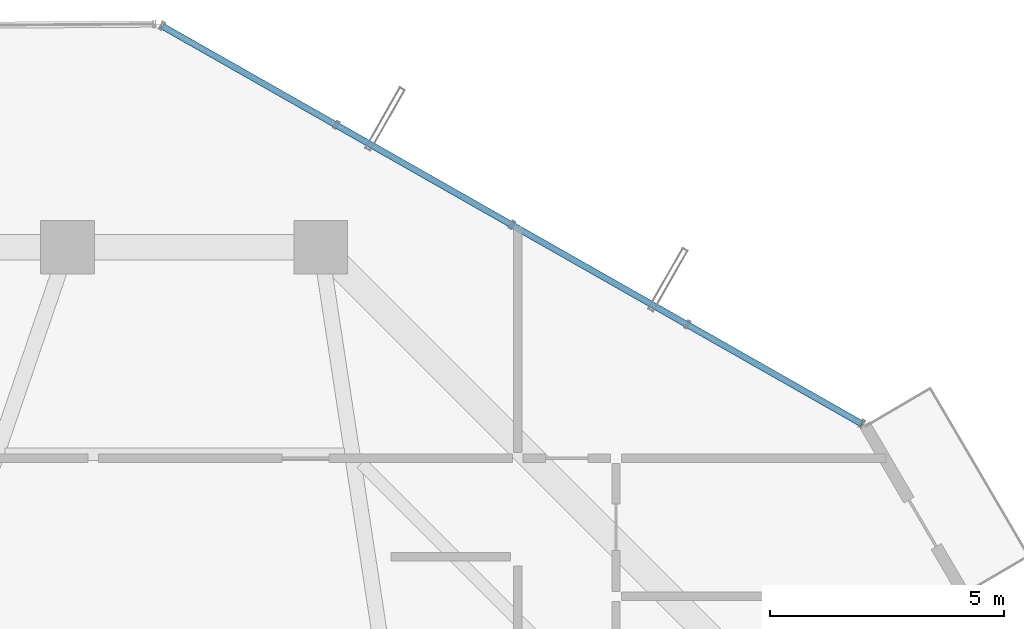
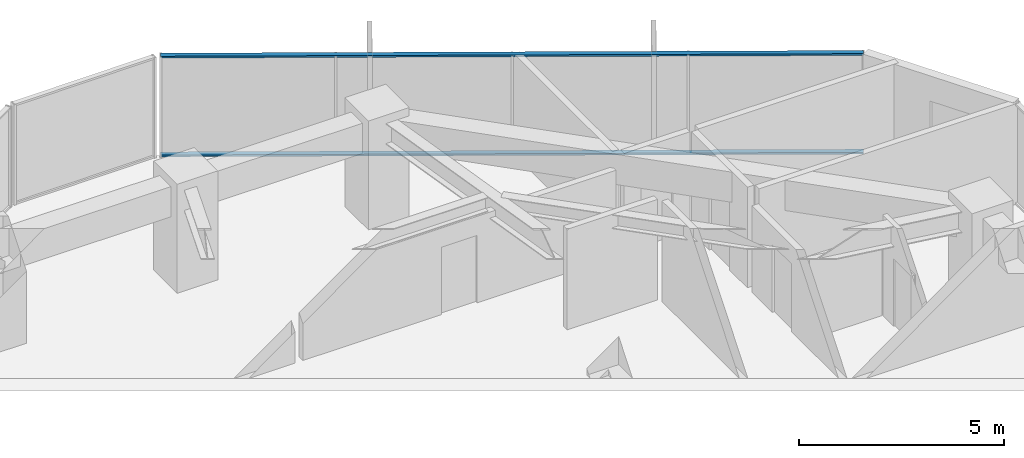
# One storey, part 22 of 30: 2 members, 1 element without a shape of its own.
"""IFC4 building model written with IfcOpenShell, lengths in metres."""

import ifcopenshell
import ifcopenshell.guid

model = None  # the IFC model being written
_history = None  # IfcOwnerHistory: only IFC2X3 demands one
_inside = {}  # id of a spatial element -> (the spatial element, [elements in it])
_under = {}  # id of a project, library or spatial element -> (it, [spatial elements below it])
_declared = {}  # id of a project -> (the project, [libraries it declares])
_typed = {}  # id of a type object -> (the type object, [elements of that type])
_made_of = {}  # id of a material, layer set ... -> (it, [elements and type objects made of it])


def new_model(schema):
    """Start an empty IFC model of exactly this schema.

    Asked for "IFC4X3", IfcOpenShell would pick the latest addendum, in which some entities
    have other attributes; the version numbers below select the first issue.
    IFC2X3 requires an IfcOwnerHistory on every rooted entity: one is made here for all.
    """
    global model, _history
    if schema == "IFC4X3":
        model = ifcopenshell.file(schema_version=(4, 3, 0, 0))
    else:
        model = ifcopenshell.file(schema=schema)
    _inside.clear()
    _under.clear()
    _declared.clear()
    _typed.clear()
    _made_of.clear()
    _history = None
    if model.schema == "IFC2X3":
        org = make("IfcOrganization", Name="unknown")
        user = make(
            "IfcPersonAndOrganization",
            ThePerson=make("IfcPerson", FamilyName="unknown"),
            TheOrganization=org,
        )
        app = make(
            "IfcApplication",
            ApplicationDeveloper=org,
            Version="unknown",
            ApplicationFullName="unknown",
            ApplicationIdentifier="unknown",
        )
        _history = make(
            "IfcOwnerHistory",
            OwningUser=user,
            OwningApplication=app,
            ChangeAction="ADDED",
            CreationDate=0,
        )
    return model


def make(cls, **values):
    """One entity of the class cls with the attributes given. An attribute that is None is left unset."""
    return model.create_entity(
        cls, **{name: value for name, value in values.items() if value is not None}
    )


def rooted(cls, **values):
    """An entity with a GlobalId (a new one), such as an element, a storey or a relation."""
    return make(cls, GlobalId=ifcopenshell.guid.new(), OwnerHistory=_history, **values)


def si_unit(unit_type, name, prefix=None):
    """IfcSIUnit, for example si_unit("LENGTHUNIT", "METRE", prefix="MILLI")."""
    return make("IfcSIUnit", UnitType=unit_type, Prefix=prefix, Name=name)


def assignment(units):
    """IfcUnitAssignment: the units of a project."""
    return None if units is None else make("IfcUnitAssignment", Units=units)


def point(xyz):
    """IfcCartesianPoint."""
    return None if xyz is None else make("IfcCartesianPoint", Coordinates=xyz)


def direction(xyz):
    """IfcDirection."""
    return None if xyz is None else make("IfcDirection", DirectionRatios=xyz)


def frame(location, z_axis=None, x_axis=None):
    """IfcAxis2Placement3D, a coordinate frame: its origin and axes. An axis left out is left unset."""
    return make(
        "IfcAxis2Placement3D",
        Location=point(location),
        Axis=direction(z_axis),
        RefDirection=direction(x_axis),
    )


def frame_2d(location, x_axis=None):
    """IfcAxis2Placement2D, a coordinate frame in the plane: its origin and x axis."""
    return make(
        "IfcAxis2Placement2D", Location=point(location), RefDirection=direction(x_axis)
    )


def origin():
    """The frame at (0, 0, 0) with its axes left unset."""
    return frame((0.0, 0.0, 0.0))


def origin_2d():
    """The frame at (0, 0) in the plane with its x axis left unset."""
    return frame_2d((0.0, 0.0))


def place(relative_to, where):
    """IfcLocalPlacement: puts the frame where relative to a parent placement (None: the world)."""
    return make(
        "IfcLocalPlacement", PlacementRelTo=relative_to, RelativePlacement=where
    )


def context(
    kind, dimensions, precision=None, world=None, true_north=None, identifier=None
):
    """IfcGeometricRepresentationContext, for example the 3D "Model" context."""
    return make(
        "IfcGeometricRepresentationContext",
        ContextIdentifier=identifier,
        ContextType=kind,
        CoordinateSpaceDimension=dimensions,
        Precision=precision,
        WorldCoordinateSystem=world,
        TrueNorth=true_north,
    )


def subcontext(parent, identifier, kind, view, scale=None):
    """IfcGeometricRepresentationSubContext, for example "Body" below "Model"."""
    return make(
        "IfcGeometricRepresentationSubContext",
        ContextIdentifier=identifier,
        ContextType=kind,
        ParentContext=parent,
        TargetScale=scale,
        TargetView=view,
    )


def project(units=None, contexts=None):
    """IfcProject with its units and contexts."""
    return rooted(
        "IfcProject",
        Name="project",
        RepresentationContexts=contexts,
        UnitsInContext=assignment(units),
    )


def spatial(cls, under=None, at=None, **own):
    """A site, building, storey or space (cls), placed at a placement, below another one or the project."""
    s = rooted(cls, ObjectPlacement=at, **own)
    if under is not None:
        _under.setdefault(under.id(), (under, []))[1].append(s)
    return s


def profile(cls, at=None, kind="AREA", **sizes):
    """A parametric profile (cls). Its sizes go by their IFC names, for example OverallWidth=200.0."""
    return make(cls, ProfileType=kind, Position=at, **sizes)


def hollow_rectangle(**sizes):
    """IfcRectangleHollowProfileDef."""
    return profile("IfcRectangleHollowProfileDef", **sizes)


def extrude(swept, where, along, depth):
    """IfcExtrudedAreaSolid: the profile swept, set in the frame where, extruded along a direction by depth."""
    return make(
        "IfcExtrudedAreaSolid",
        SweptArea=swept,
        Position=where,
        ExtrudedDirection=direction(along),
        Depth=depth,
    )


def shape(context_of_items, identifier, shape_type, items):
    """IfcShapeRepresentation: the items that make up one representation, for example the "Body"."""
    return make(
        "IfcShapeRepresentation",
        ContextOfItems=context_of_items,
        RepresentationIdentifier=identifier,
        RepresentationType=shape_type,
        Items=items,
    )


def source(mapping_origin, context_of_items, identifier, shape_type, items):
    """IfcRepresentationMap: a shape defined once, which mapped items show again and again."""
    return make(
        "IfcRepresentationMap",
        MappingOrigin=mapping_origin,
        MappedRepresentation=shape(context_of_items, identifier, shape_type, items),
    )


def transform(
    local_origin,
    x_axis=None,
    y_axis=None,
    z_axis=None,
    scale=None,
    scale2=None,
    scale3=None,
    uniform=True,
):
    """IfcCartesianTransformationOperator3D, or its non-uniform kind. x_axis, y_axis, z_axis: its Axis1, 2, 3."""
    if uniform:
        return make(
            "IfcCartesianTransformationOperator3D",
            Axis1=direction(x_axis),
            Axis2=direction(y_axis),
            LocalOrigin=point(local_origin),
            Scale=scale,
            Axis3=direction(z_axis),
        )
    return make(
        "IfcCartesianTransformationOperator3DnonUniform",
        Axis1=direction(x_axis),
        Axis2=direction(y_axis),
        LocalOrigin=point(local_origin),
        Scale=scale,
        Axis3=direction(z_axis),
        Scale2=scale2,
        Scale3=scale3,
    )


def mapped(mapping_source, mapping_target):
    """IfcMappedItem: shows the shape of a source again, moved by a transform."""
    return make(
        "IfcMappedItem", MappingSource=mapping_source, MappingTarget=mapping_target
    )


def material(Name=None, Category=None):
    """IfcMaterial."""
    return make("IfcMaterial", Name=Name, Category=Category)


def layer(
    of_material, thickness, ventilated=None, Name=None, Category=None, Priority=None
):
    """IfcMaterialLayer: one layer of a wall or slab, of a material (None: an air gap)."""
    return make(
        "IfcMaterialLayer",
        Material=of_material,
        LayerThickness=thickness,
        IsVentilated=ventilated,
        Name=Name,
        Category=Category,
        Priority=Priority,
    )


def layer_set(layers, Name=None):
    """IfcMaterialLayerSet."""
    return make("IfcMaterialLayerSet", MaterialLayers=layers, LayerSetName=Name)


def material_profile(
    of_material, cross_section, Name=None, Category=None, Priority=None
):
    """IfcMaterialProfile: a cross section and its material."""
    return make(
        "IfcMaterialProfile",
        Name=Name,
        Material=of_material,
        Profile=cross_section,
        Priority=Priority,
        Category=Category,
    )


def profile_set(profiles, Name=None, composite=None):
    """IfcMaterialProfileSet."""
    return make(
        "IfcMaterialProfileSet",
        Name=Name,
        MaterialProfiles=profiles,
        CompositeProfile=composite,
    )


def made_of(thing, what):
    """Note that an element or type object is made of a material, layer set ...; save() writes the relation."""
    if what is not None:
        _made_of.setdefault(what.id(), (what, []))[1].append(thing)
    return thing


def type_object(cls, material=None, **own):
    """A type object (cls), such as IfcWallType, which elements share."""
    return made_of(rooted(cls, **own), material)


def element(
    cls,
    number,
    at=None,
    inside=None,
    cuts=None,
    type_object=None,
    material=None,
    context=None,
    identifier="Body",
    shape_type=None,
    held_by="IfcProductDefinitionShape",
    body=None,
    shapes=None,
    **own,
):
    """One element of the class cls, such as IfcWall. Its Tag is "e" and its number.

    at: its placement. inside: the storey or other place that contains it. cuts: it is an
    opening in that element (IfcRelVoidsElement). A single representation is given by context,
    identifier, shape_type and body (its items); several are given by shapes. held_by: the class
    of the entity that holds the representations. save() writes the other relations.
    """
    e = rooted(cls, Tag="e%d" % number, ObjectPlacement=at, **own)
    if body is not None:
        shapes = [shape(context, identifier, shape_type, body)]
    if shapes is not None:
        e.Representation = make(held_by, Representations=shapes)
    if inside is not None:
        _inside.setdefault(inside.id(), (inside, []))[1].append(e)
    if cuts is not None:
        rooted(
            "IfcRelVoidsElement", RelatingBuildingElement=cuts, RelatedOpeningElement=e
        )
    if type_object is not None:
        _typed.setdefault(type_object.id(), (type_object, []))[1].append(e)
    return made_of(e, material)


def aggregate(whole, parts):
    """IfcRelAggregates: a whole, such as a stair, and the parts it consists of."""
    return rooted("IfcRelAggregates", RelatingObject=whole, RelatedObjects=parts)


def save(model, path):
    """Write the relations noted so far, then the file.

    IfcRelAggregates (storeys below a building ...), IfcRelContainedInSpatialStructure (elements
    in a storey), IfcRelDefinesByType, IfcRelAssociatesMaterial and IfcRelDeclares: one each for
    every whole, place, type object, material and project.
    """
    for whole, parts in _under.values():
        aggregate(whole, parts)
    for where, things in _inside.values():
        rooted(
            "IfcRelContainedInSpatialStructure",
            RelatedElements=things,
            RelatingStructure=where,
        )
    for kind, things in _typed.values():
        rooted("IfcRelDefinesByType", RelatedObjects=things, RelatingType=kind)
    for what, things in _made_of.values():
        rooted("IfcRelAssociatesMaterial", RelatedObjects=things, RelatingMaterial=what)
    for by, libraries in _declared.values():
        rooted("IfcRelDeclares", RelatingContext=by, RelatedDefinitions=libraries)
    model.write(path)


model = new_model("IFC4")

# Units and contexts
model_context = context("Model", 3, precision=1e-05, world=origin(), true_north=direction((0.0, 1.0)))
body_context = subcontext(model_context, "Body", "Model", "MODEL_VIEW")
ifc_project = project(units=[si_unit("LENGTHUNIT", "METRE"), si_unit("AREAUNIT", "SQUARE_METRE"), si_unit("VOLUMEUNIT", "CUBIC_METRE"), si_unit("PLANEANGLEUNIT", "RADIAN"), si_unit("MASSUNIT", "GRAM", prefix="KILO")], contexts=[model_context])

# Site, building, storey
site_placement = place(None, origin())
site = spatial("IfcSite", under=ifc_project, at=site_placement, CompositionType="ELEMENT")
building_placement = place(site_placement, origin())
building = spatial("IfcBuilding", under=site, at=building_placement, Name="Veraguas Prism Commons", CompositionType="ELEMENT")
storey_placement = place(building_placement, frame((0.0, 0.0, 129.5)))
storey = spatial("IfcBuildingStorey", under=building, at=storey_placement, Name="L36", CompositionType="ELEMENT", Elevation=129.5)

# Curtain wall, members
ifc_material = material(Name="Anodised aluminium EN AW-6063 T6", Category="aluminium")
ifc_layer = layer(ifc_material, 0.169921875, Name="Unitised Flush Curtain Wall Zone 2", Category="aluminium")
ifc_layer_set = layer_set([ifc_layer], Name="Anodised aluminium EN AW-6063 T6")
curtain_wall_type = type_object("IfcCurtainWallType", Name="Unitised Flush Curtain Wall Zone 2", PredefinedType="NOTDEFINED", material=ifc_layer_set)
curtain_wall_placement = place(storey_placement, origin())
curtain_wall = element("IfcCurtainWall", 1, at=curtain_wall_placement, inside=storey, type_object=curtain_wall_type, Name="Tower Facade Curtain Wall L36-F1", PredefinedType="NOTDEFINED")
ifc_material_profile = material_profile(ifc_material, hollow_rectangle(XDim=0.054931640625, YDim=0.135009765625, WallThickness=0.0029296875, at=origin_2d()), Name="AL55X135X3")
ifc_profile_set = profile_set([ifc_material_profile], Name="Anodised aluminium EN AW-6063 T6")
member_type = type_object("IfcMemberType", Name="Curtain Wall Transom Standard AL 55x135x3", PredefinedType="USERDEFINED", material=ifc_profile_set)
shared_shape = source(origin(), body_context, "Body", "SweptSolid", [
    extrude(hollow_rectangle(XDim=0.054931640625, YDim=0.135009765625, WallThickness=0.0029296875, at=origin_2d()), origin(), (0.0, 0.0, 1.0), 17.17431640625),
])
member_1_placement = place(storey_placement, frame((40.94580078125, 36.431640625, 0.027587890625), z_axis=(-0.869322335371, 0.494245563688, 0.0), x_axis=(0.0, 0.0, 1.0)))
member_1 = element("IfcMember", 2, at=member_1_placement, type_object=member_type, Name="CW-Z2 Transom 1", ObjectType="TRANSOM", PredefinedType="USERDEFINED", context=body_context, shape_type="MappedRepresentation", body=[
    mapped(shared_shape, transform((0.0, 0.0, 0.0), scale=1.0)),
])
member_2_placement = place(storey_placement, frame((40.94580078125, 36.431640625, 2.972412109375), z_axis=(-0.869322335371, 0.494245563688, 0.0), x_axis=(0.0, 0.0, 1.0)))
member_2 = element("IfcMember", 3, at=member_2_placement, type_object=member_type, Name="CW-Z2 Transom 2", ObjectType="TRANSOM", PredefinedType="USERDEFINED", context=body_context, shape_type="MappedRepresentation", body=[
    mapped(shared_shape, transform((0.0, 0.0, 0.0), scale=1.0)),
])
aggregate(curtain_wall, [member_1, member_2])

save(model, "model.ifc")
